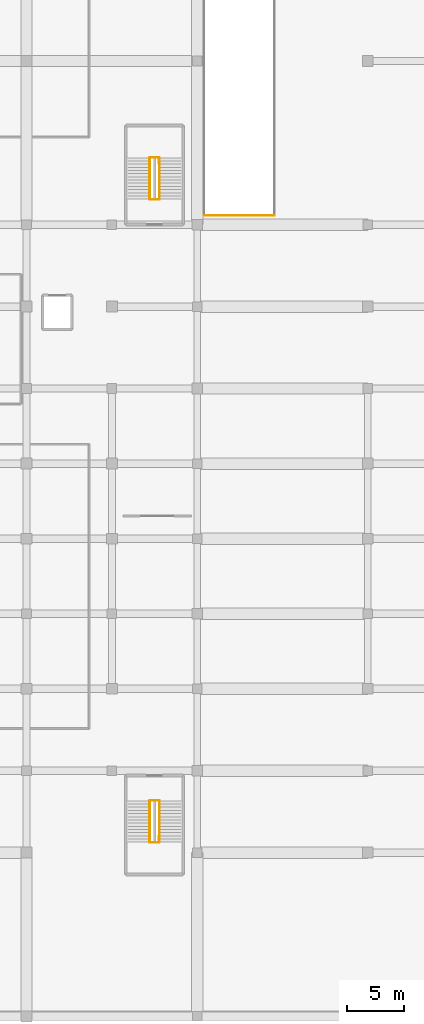
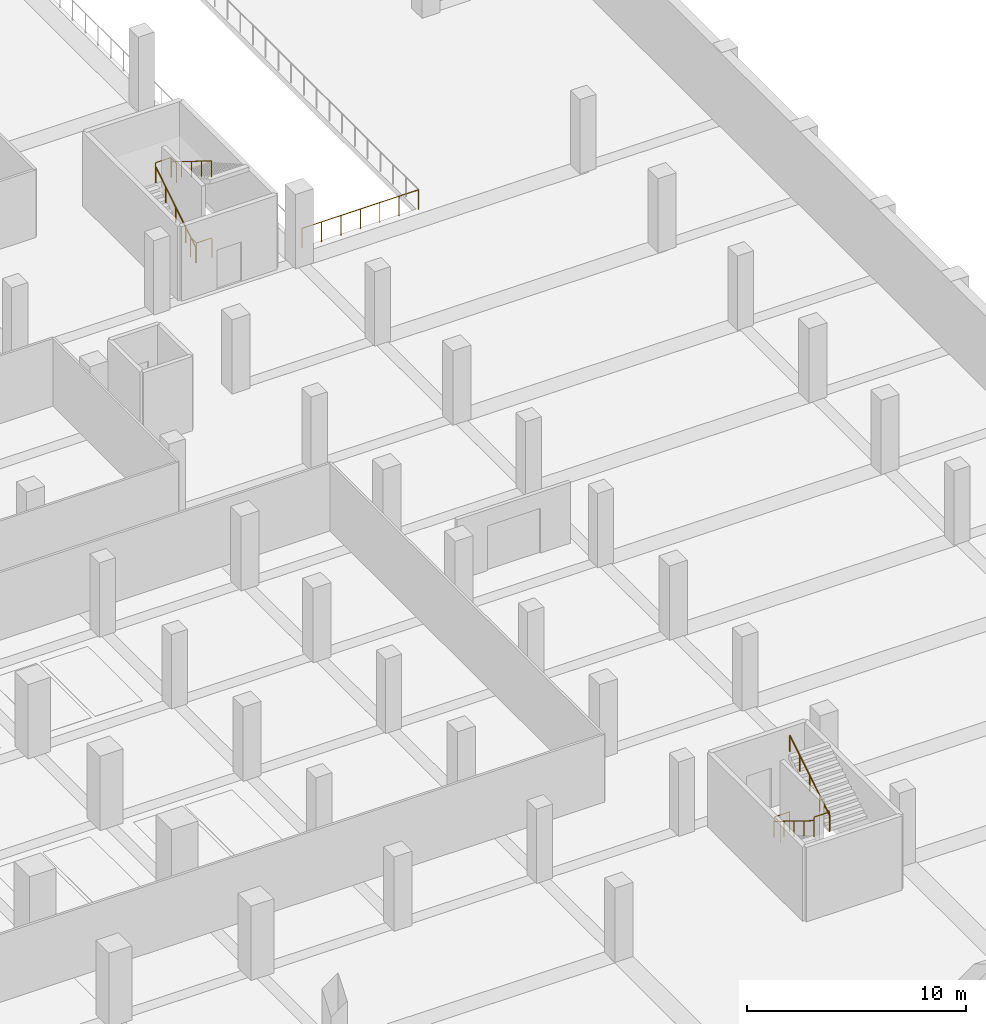
# One storey, part 24 of 25: 9 railings.
"""IFC4 building model written with IfcOpenShell, lengths in metres."""

from ifc_helpers import new_model, si_unit, direction, frame, origin, origin_2d, place, context, subcontext, project, spatial, circle, extrude, material, layer, layer_set, type_object, element, save


model = new_model("IFC4")

# Units and contexts
model_context = context("Model", 3, precision=1e-05, world=origin(), true_north=direction((0.0, 1.0)))
body_context = subcontext(model_context, "Body", "Model", "MODEL_VIEW")
ifc_project = project(units=[si_unit("LENGTHUNIT", "METRE"), si_unit("AREAUNIT", "SQUARE_METRE"), si_unit("VOLUMEUNIT", "CUBIC_METRE"), si_unit("PLANEANGLEUNIT", "RADIAN"), si_unit("MASSUNIT", "GRAM", prefix="KILO")], contexts=[model_context])

# Site, building, storey
site_placement = place(None, origin())
site = spatial("IfcSite", under=ifc_project, at=site_placement, CompositionType="ELEMENT")
building_placement = place(site_placement, origin())
building = spatial("IfcBuilding", under=site, at=building_placement, Name="Akrevak Sports Hall", CompositionType="ELEMENT")
storey_placement = place(building_placement, frame((0.0, 0.0, -4.5)))
storey = spatial("IfcBuildingStorey", under=building, at=storey_placement, Name="B01", CompositionType="ELEMENT", Elevation=-4.5)

# Railings
ifc_material_1 = material(Name="Painted Architectural Balustrade Steel", Category="steel")
ifc_layer_1 = layer(ifc_material_1, 0.06005859375, Name="Painted Architectural Balustrade Steel")
ifc_layer_set_1 = layer_set([ifc_layer_1], Name="Painted Architectural Balustrade Steel")
railing_type_1 = type_object("IfcRailingType", Name="ARC-RL-GRD-1120", PredefinedType="GUARDRAIL", material=ifc_layer_set_1)
railing_1_placement = place(storey_placement, frame((141.360107421875, 18.429931640625, 0.0)))
element("IfcRailing", 1, at=railing_1_placement, inside=storey, type_object=railing_type_1, Name="Stair Floor Landing Well Guard ST7 (B01)", PredefinedType="GUARDRAIL", context=body_context, shape_type="SweptSolid", body=[
    extrude(circle(Radius=0.02392578125, at=origin_2d()), frame((0.0, 0.0, 1.09619140625), z_axis=(0.0, 1.0, 0.0), x_axis=(-1.0, 0.0, 0.0)), (0.0, 0.0, 1.0), 0.550048828125),
    extrude(circle(Radius=0.02392578125, at=origin_2d()), frame((0.0, 0.550048828125, 1.09619140625), z_axis=(1.0, 0.0, 0.0), x_axis=(0.0, 1.0, 0.0)), (0.0, 0.0, 1.0), 0.809814453125),
    extrude(circle(Radius=0.02099609375, at=origin_2d()), origin(), (0.0, 0.0, 1.0), 1.072021484375),
    extrude(circle(Radius=0.02099609375, at=origin_2d()), frame((0.0, 0.550048828125, 0.0)), (0.0, 0.0, 1.0), 1.072021484375),
    extrude(circle(Radius=0.02099609375, at=origin_2d()), frame((0.809814453125, 0.550048828125, 0.0)), (0.0, 0.0, 1.0), 1.072021484375),
])
railing_2_placement = place(storey_placement, frame((141.330078125, 15.280029296875, 2.25)))
element("IfcRailing", 2, at=railing_2_placement, inside=storey, type_object=railing_type_1, Name="Stair Landing Well Guard ST7-B01-1", PredefinedType="GUARDRAIL", context=body_context, shape_type="SweptSolid", body=[
    extrude(circle(Radius=0.02392578125, at=origin_2d()), frame((0.0, 0.0, 1.09619140625), z_axis=(1.0, 0.0, 0.0), x_axis=(0.0, 1.0, 0.0)), (0.0, 0.0, 1.0), 0.809814453125),
    extrude(circle(Radius=0.02392578125, at=origin_2d()), frame((0.809814453125, 0.0, 1.09619140625), z_axis=(0.0, 1.0, 0.0), x_axis=(-1.0, 0.0, 0.0)), (0.0, 0.0, 1.0), 0.52001953125),
    extrude(circle(Radius=0.02099609375, at=origin_2d()), origin(), (0.0, 0.0, 1.0), 1.072021484375),
    extrude(circle(Radius=0.02099609375, at=origin_2d()), frame((0.809814453125, 0.0, 0.0)), (0.0, 0.0, 1.0), 1.072021484375),
    extrude(circle(Radius=0.02099609375, at=origin_2d()), frame((0.809814453125, 0.52001953125, 0.0)), (0.0, 0.0, 1.0), 1.072021484375),
])
railing_3_placement = place(storey_placement, frame((141.360107421875, 72.3701171875, 0.0)))
element("IfcRailing", 3, at=railing_3_placement, inside=storey, type_object=railing_type_1, Name="Stair Floor Landing Well Guard ST8 (B01)", PredefinedType="GUARDRAIL", context=body_context, shape_type="SweptSolid", body=[
    extrude(circle(Radius=0.02392578125, at=origin_2d()), frame((0.0, 0.0, 1.09619140625), z_axis=(0.0, -1.0, 0.0), x_axis=(1.0, 0.0, 0.0)), (0.0, 0.0, 1.0), 0.550048828125),
    extrude(circle(Radius=0.02392578125, at=origin_2d()), frame((0.0, -0.550048828125, 1.09619140625), z_axis=(1.0, 0.0, 0.0), x_axis=(0.0, 1.0, 0.0)), (0.0, 0.0, 1.0), 0.809814453125),
    extrude(circle(Radius=0.02099609375, at=origin_2d()), origin(), (0.0, 0.0, 1.0), 1.072021484375),
    extrude(circle(Radius=0.02099609375, at=origin_2d()), frame((0.0, -0.550048828125, 0.0)), (0.0, 0.0, 1.0), 1.072021484375),
    extrude(circle(Radius=0.02099609375, at=origin_2d()), frame((0.809814453125, -0.550048828125, 0.0)), (0.0, 0.0, 1.0), 1.072021484375),
])
railing_4_placement = place(storey_placement, frame((141.330078125, 75.52001953125, 2.25)))
element("IfcRailing", 4, at=railing_4_placement, inside=storey, type_object=railing_type_1, Name="Stair Landing Well Guard ST8-B01-1", PredefinedType="GUARDRAIL", context=body_context, shape_type="SweptSolid", body=[
    extrude(circle(Radius=0.02392578125, at=origin_2d()), frame((0.0, 0.0, 1.09619140625), z_axis=(1.0, 0.0, 0.0), x_axis=(0.0, 1.0, 0.0)), (0.0, 0.0, 1.0), 0.809814453125),
    extrude(circle(Radius=0.02392578125, at=origin_2d()), frame((0.809814453125, 0.0, 1.09619140625), z_axis=(0.0, -1.0, 0.0), x_axis=(1.0, 0.0, 0.0)), (0.0, 0.0, 1.0), 0.52001953125),
    extrude(circle(Radius=0.02099609375, at=origin_2d()), origin(), (0.0, 0.0, 1.0), 1.072021484375),
    extrude(circle(Radius=0.02099609375, at=origin_2d()), frame((0.809814453125, 0.0, 0.0)), (0.0, 0.0, 1.0), 1.072021484375),
    extrude(circle(Radius=0.02099609375, at=origin_2d()), frame((0.809814453125, -0.52001953125, 0.0)), (0.0, 0.0, 1.0), 1.072021484375),
])
railing_5_placement = place(storey_placement, frame((146.1201171875, 70.419921875, 0.0)))
element("IfcRailing", 5, at=railing_5_placement, inside=storey, type_object=railing_type_1, Name="B01 Vehicle Ramp Well Guardrail S", PredefinedType="GUARDRAIL", context=body_context, shape_type="SweptSolid", body=[
    extrude(circle(Radius=0.02392578125, at=origin_2d()), frame((0.0, 0.0, 1.09619140625), z_axis=(1.0, 0.0, 0.0), x_axis=(0.0, 1.0, 0.0)), (0.0, 0.0, 1.0), 6.159912109375),
    extrude(circle(Radius=0.02099609375, at=origin_2d()), origin(), (0.0, 0.0, 1.0), 1.072021484375),
    extrude(circle(Radius=0.02099609375, at=origin_2d()), frame((1.026611328125, 0.0, 0.0)), (0.0, 0.0, 1.0), 1.072021484375),
    extrude(circle(Radius=0.02099609375, at=origin_2d()), frame((2.05322265625, 0.0, 0.0)), (0.0, 0.0, 1.0), 1.072021484375),
    extrude(circle(Radius=0.02099609375, at=origin_2d()), frame((3.080078125, 0.0, 0.0)), (0.0, 0.0, 1.0), 1.072021484375),
    extrude(circle(Radius=0.02099609375, at=origin_2d()), frame((4.106689453125, 0.0, 0.0)), (0.0, 0.0, 1.0), 1.072021484375),
    extrude(circle(Radius=0.02099609375, at=origin_2d()), frame((5.13330078125, 0.0, 0.0)), (0.0, 0.0, 1.0), 1.072021484375),
    extrude(circle(Radius=0.02099609375, at=origin_2d()), frame((6.159912109375, 0.0, 0.0)), (0.0, 0.0, 1.0), 1.072021484375),
])
ifc_material_2 = material(Name="Brushed Stainless Steel 304", Category="steel")
ifc_layer_2 = layer(ifc_material_2, 0.050048828125, Name="Brushed Stainless Steel 304")
ifc_layer_set_2 = layer_set([ifc_layer_2], Name="Brushed Stainless Steel 304")
railing_type_2 = type_object("IfcRailingType", Name="ARC-RL-HND-900", PredefinedType="HANDRAIL", material=ifc_layer_set_2)
railing_6_placement = place(storey_placement, frame((141.330078125, 18.949951171875, 0.0)))
element("IfcRailing", 6, at=railing_6_placement, inside=storey, type_object=railing_type_2, Name="Stair Handrail ST7-B01-F1", PredefinedType="HANDRAIL", context=body_context, shape_type="SweptSolid", body=[
    extrude(circle(Radius=0.02392578125, at=origin_2d()), frame((0.0, 0.0, 0.8759765625), z_axis=(0.0, -0.850606632239, 0.525802583857), x_axis=(1.0, 0.0, 0.0)), (0.0, 0.0, 1.0), 4.279052734375),
    extrude(circle(Radius=0.02099609375, at=origin_2d()), origin(), (0.0, 0.0, 1.0), 0.851806640625),
    extrude(circle(Radius=0.02099609375, at=origin_2d()), frame((0.0, -0.909912109375, 0.5625)), (0.0, 0.0, 1.0), 0.851806640625),
    extrude(circle(Radius=0.02099609375, at=origin_2d()), frame((0.0, -1.81982421875, 1.125)), (0.0, 0.0, 1.0), 0.851806640625),
    extrude(circle(Radius=0.02099609375, at=origin_2d()), frame((0.0, -2.72998046875, 1.6875)), (0.0, 0.0, 1.0), 0.851806640625),
    extrude(circle(Radius=0.02099609375, at=origin_2d()), frame((0.0, -3.639892578125, 2.25)), (0.0, 0.0, 1.0), 0.851806640625),
])
for number, where, name in (
    (7, (142.169921875, 15.31005859375, 2.25), "Stair Handrail ST7-B01-F2"),
    (8, (141.330078125, 71.85009765625, 0.0), "Stair Handrail ST8-B01-F1"),
):
    element("IfcRailing", number, at=place(storey_placement, frame(where)), inside=storey, type_object=railing_type_2, Name=name, PredefinedType="HANDRAIL", context=body_context, shape_type="SweptSolid", body=[
        extrude(circle(Radius=0.02392578125, at=origin_2d()), frame((0.0, 0.0, 0.8759765625), z_axis=(0.0, 0.850606632239, 0.525802583857), x_axis=(-1.0, 0.0, 0.0)), (0.0, 0.0, 1.0), 4.279052734375),
        extrude(circle(Radius=0.02099609375, at=origin_2d()), origin(), (0.0, 0.0, 1.0), 0.851806640625),
        extrude(circle(Radius=0.02099609375, at=origin_2d()), frame((0.0, 0.909912109375, 0.5625)), (0.0, 0.0, 1.0), 0.851806640625),
        extrude(circle(Radius=0.02099609375, at=origin_2d()), frame((0.0, 1.81982421875, 1.125)), (0.0, 0.0, 1.0), 0.851806640625),
        extrude(circle(Radius=0.02099609375, at=origin_2d()), frame((0.0, 2.72998046875, 1.6875)), (0.0, 0.0, 1.0), 0.851806640625),
        extrude(circle(Radius=0.02099609375, at=origin_2d()), frame((0.0, 3.639892578125, 2.25)), (0.0, 0.0, 1.0), 0.851806640625),
    ])
railing_7_placement = place(storey_placement, frame((142.169921875, 75.489990234375, 2.25)))
element("IfcRailing", 9, at=railing_7_placement, inside=storey, type_object=railing_type_2, Name="Stair Handrail ST8-B01-F2", PredefinedType="HANDRAIL", context=body_context, shape_type="SweptSolid", body=[
    extrude(circle(Radius=0.02392578125, at=origin_2d()), frame((0.0, 0.0, 0.8759765625), z_axis=(0.0, -0.850606632239, 0.525802583857), x_axis=(1.0, 0.0, 0.0)), (0.0, 0.0, 1.0), 4.279052734375),
    extrude(circle(Radius=0.02099609375, at=origin_2d()), origin(), (0.0, 0.0, 1.0), 0.851806640625),
    extrude(circle(Radius=0.02099609375, at=origin_2d()), frame((0.0, -0.909912109375, 0.5625)), (0.0, 0.0, 1.0), 0.851806640625),
    extrude(circle(Radius=0.02099609375, at=origin_2d()), frame((0.0, -1.81982421875, 1.125)), (0.0, 0.0, 1.0), 0.851806640625),
    extrude(circle(Radius=0.02099609375, at=origin_2d()), frame((0.0, -2.72998046875, 1.6875)), (0.0, 0.0, 1.0), 0.851806640625),
    extrude(circle(Radius=0.02099609375, at=origin_2d()), frame((0.0, -3.639892578125, 2.25)), (0.0, 0.0, 1.0), 0.851806640625),
])

save(model, "model.ifc")
